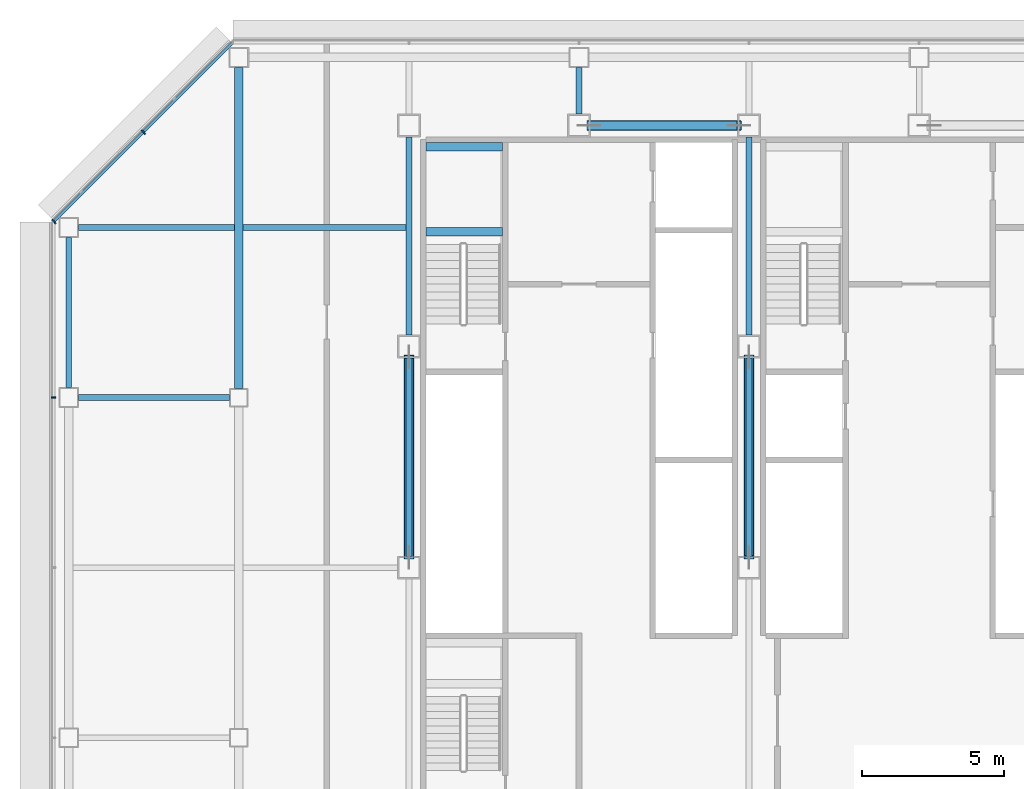
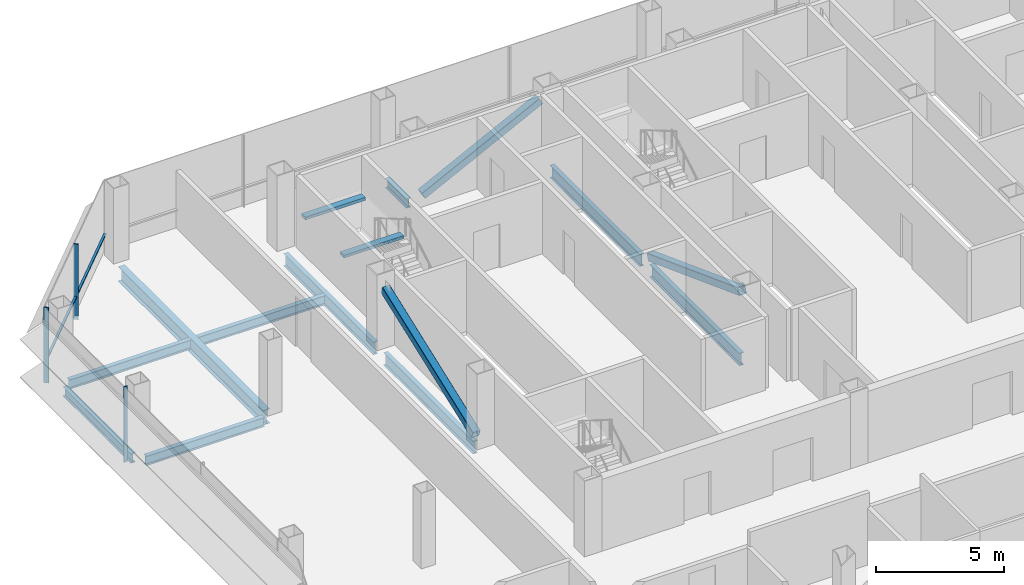
# One storey, part 12 of 27: 12 beams, 7 members, 2 elements without a shape of their own.
"""IFC4 building model written with IfcOpenShell, lengths in metres."""

from ifc_helpers import new_model, si_unit, direction, frame, origin, origin_2d, place, context, subcontext, project, spatial, rectangle, hollow_rectangle, i_section, extrude, material, material_profile, profile_set, type_object, element, aggregate, save


model = new_model("IFC4")

# Units and contexts
model_context = context("Model", 3, precision=1e-05, world=origin(), true_north=direction((0.0, 1.0)))
body_context = subcontext(model_context, "Body", "Model", "MODEL_VIEW")
ifc_project = project(units=[si_unit("LENGTHUNIT", "METRE"), si_unit("AREAUNIT", "SQUARE_METRE"), si_unit("VOLUMEUNIT", "CUBIC_METRE"), si_unit("PLANEANGLEUNIT", "RADIAN"), si_unit("MASSUNIT", "GRAM", prefix="KILO")], contexts=[model_context])

# Site, building, storey
site_placement = place(None, origin())
site = spatial("IfcSite", under=ifc_project, at=site_placement, CompositionType="ELEMENT")
building_placement = place(site_placement, origin())
building = spatial("IfcBuilding", under=site, at=building_placement, Name="Sorahane Residences", CompositionType="ELEMENT")
storey_placement = place(building_placement, frame((0.0, 0.0, 167.199951171875)))
storey = spatial("IfcBuildingStorey", under=building, at=storey_placement, Name="L38", CompositionType="ELEMENT", Elevation=167.199951171875)

# Members
ifc_material_1 = material(Name="Steel Q355B", Category="steel")
ifc_material_profile_1 = material_profile(ifc_material_1, hollow_rectangle(XDim=0.35009765625, YDim=0.35009765625, WallThickness=0.01806640625, InnerFilletRadius=0.009033203125, OuterFilletRadius=0.027099609375, at=origin_2d()), Name="RHS 350x350x18")
ifc_profile_set_1 = profile_set([ifc_material_profile_1], Name="Steel Q355B")
member_type_1 = type_object("IfcMemberType", Name="Core brace RHS 350x350x18 Q355B", PredefinedType="BRACE", material=ifc_profile_set_1)
member_1_placement = place(storey_placement, frame((12.352783203125, 45.60009765625, 0.151123046875), z_axis=(0.893039246852, 0.0, 0.449978781258), x_axis=(0.0, 1.0, 0.0)))
element("IfcMember", 1, at=member_1_placement, inside=storey, type_object=member_type_1, Name="Core brace L38 y45.6-2", PredefinedType="BRACE", context=body_context, shape_type="SweptSolid", body=[
    extrude(hollow_rectangle(XDim=0.35009765625, YDim=0.35009765625, WallThickness=0.01806640625, InnerFilletRadius=0.009033203125, OuterFilletRadius=0.027099609375, at=origin_2d()), origin(), (0.0, 0.0, 1.0), 5.928466796875),
])
for number, where, z_axis, x_axis, name in (
    (2, (6.0, 30.36328125, 0.161376953125), (0.0, 0.936550837269, 0.350531780601), (-1.0, 0.0, 0.0), "Core brace L38 x6-2"),
    (3, (18.0, 37.436767578125, 0.161376953125), (0.0, -0.936550837269, 0.350531780601), (1.0, 0.0, 0.0), "Core brace L38 x18-1"),
):
    element("IfcMember", number, at=place(storey_placement, frame(where, z_axis=z_axis, x_axis=x_axis)), inside=storey, type_object=member_type_1, Name=name, PredefinedType="BRACE", context=body_context, shape_type="SweptSolid", body=[
        extrude(hollow_rectangle(XDim=0.35009765625, YDim=0.35009765625, WallThickness=0.01806640625, InnerFilletRadius=0.009033203125, OuterFilletRadius=0.027099609375, at=origin_2d()), origin(), (0.0, 0.0, 1.0), 7.552734375),
    ])

# Curtain wall, member
ifc_material_2 = material(Name="Dark low-e glass and black anodised aluminium", Category="aluminium")
curtain_wall_type_1 = type_object("IfcCurtainWallType", Name="Curtain wall CW-1 Typical unitised wall", PredefinedType="NOTDEFINED", material=ifc_material_2)
curtain_wall_1_placement = place(storey_placement, origin())
curtain_wall_1 = element("IfcCurtainWall", 4, at=curtain_wall_1_placement, inside=storey, type_object=curtain_wall_type_1, Name="CW-1 curtain wall L38 W1", PredefinedType="NOTDEFINED")
ifc_material_3 = material(Name="Black anodised aluminium", Category="aluminium")
ifc_material_profile_2 = material_profile(ifc_material_3, rectangle(XDim=0.159912109375, YDim=0.050048828125, at=origin_2d()), Name="Curtain wall mullion CW-1 black anodised aluminium 50x160")
ifc_profile_set_2 = profile_set([ifc_material_profile_2], Name="Black anodised aluminium")
member_type_2 = type_object("IfcMemberType", Name="Curtain wall mullion CW-1 black anodised aluminium 50x160", PredefinedType="MULLION", material=ifc_profile_set_2)
member_2_placement = place(storey_placement, frame((-6.5400390625, 36.0, -0.179931640625), z_axis=(0.0, 0.0, 1.0), x_axis=(-1.0, 0.0, 0.0)))
member_2 = element("IfcMember", 5, at=member_2_placement, type_object=member_type_2, Name="CW-1 mullion L38 W1.2", PredefinedType="MULLION", context=body_context, shape_type="SweptSolid", body=[
    extrude(rectangle(XDim=0.159912109375, YDim=0.050048828125, at=origin_2d()), origin(), (0.0, 0.0, 1.0), 3.60009765625),
])
aggregate(curtain_wall_1, [member_2])

# Curtain wall, members
ifc_material_4 = material(Name="Dark low-e glass and black anodised aluminium", Category="aluminium")
curtain_wall_type_2 = type_object("IfcCurtainWallType", Name="Curtain wall CW-2 Chamfer unitised wall", PredefinedType="NOTDEFINED", material=ifc_material_4)
curtain_wall_2_placement = place(storey_placement, origin())
curtain_wall_2 = element("IfcCurtainWall", 6, at=curtain_wall_2_placement, inside=storey, type_object=curtain_wall_type_2, Name="CW-2 curtain wall L38 NW1", PredefinedType="NOTDEFINED")
ifc_material_5 = material(Name="Black anodised aluminium", Category="aluminium")
ifc_material_profile_3 = material_profile(ifc_material_5, rectangle(XDim=0.199951171875, YDim=0.050048828125, at=origin_2d()), Name="Curtain wall mullion CW-2 black anodised aluminium 50x200")
ifc_profile_set_3 = profile_set([ifc_material_profile_3], Name="Black anodised aluminium")
member_type_3 = type_object("IfcMemberType", Name="Curtain wall mullion CW-2 black anodised aluminium 50x200", PredefinedType="MULLION", material=ifc_profile_set_3)
member_3_placement = place(storey_placement, frame((-3.36767578125, 45.36767578125, -0.179931640625), z_axis=(0.0, 0.0, 1.0), x_axis=(-0.707106781187, 0.707106781187, 0.0)))
member_3 = element("IfcMember", 7, at=member_3_placement, type_object=member_type_3, Name="CW-2 mullion L38 NW1.2", PredefinedType="MULLION", context=body_context, shape_type="SweptSolid", body=[
    extrude(rectangle(XDim=0.199951171875, YDim=0.050048828125, at=origin_2d()), origin(), (0.0, 0.0, 1.0), 3.60009765625),
])
member_4_placement = place(storey_placement, frame((-6.525634765625, 42.209716796875, -0.179931640625), z_axis=(0.0, 0.0, 1.0), x_axis=(-0.707106781187, 0.707106781187, 0.0)))
member_4 = element("IfcMember", 8, at=member_4_placement, type_object=member_type_3, Name="CW-2 mullion L38 NW1.3", PredefinedType="MULLION", context=body_context, shape_type="SweptSolid", body=[
    extrude(rectangle(XDim=0.199951171875, YDim=0.050048828125, at=origin_2d()), origin(), (0.0, 0.0, 1.0), 3.60009765625),
])
ifc_material_6 = material(Name="Black anodised aluminium", Category="aluminium")
ifc_material_profile_4 = material_profile(ifc_material_6, rectangle(XDim=0.10009765625, YDim=0.06005859375, at=origin_2d()), Name="Curtain wall transom CW-2 black anodised aluminium 60x100")
ifc_profile_set_4 = profile_set([ifc_material_profile_4], Name="Black anodised aluminium")
member_type_4 = type_object("IfcMemberType", Name="Curtain wall transom CW-2 black anodised aluminium 60x100", PredefinedType="USERDEFINED", material=ifc_profile_set_4)
member_5_placement = place(storey_placement, frame((-0.234375, 48.51513671875, 0.900146484375), z_axis=(-0.707106781187, -0.707106781187, 0.0), x_axis=(0.707106781187, -0.707106781187, 0.0)))
member_5 = element("IfcMember", 9, at=member_5_placement, type_object=member_type_4, Name="CW-2 transom L38 NW1", ObjectType="TRANSOM", PredefinedType="USERDEFINED", context=body_context, shape_type="SweptSolid", body=[
    extrude(rectangle(XDim=0.10009765625, YDim=0.06005859375, at=origin_2d()), origin(), (0.0, 0.0, 1.0), 8.88232421875),
])
aggregate(curtain_wall_2, [member_3, member_4, member_5])

# Beams
ifc_material_7 = material(Name="Concrete C40", Category="concrete")
ifc_material_profile_5 = material_profile(ifc_material_7, rectangle(XDim=0.300048828125, YDim=0.139892578125, at=origin_2d()), Name="300x140")
ifc_profile_set_5 = profile_set([ifc_material_profile_5], Name="Concrete C40")
beam_type_1 = type_object("IfcBeamType", Name="RC landing beam 300 x 140 Concrete C40", PredefinedType="BEAM", material=ifc_profile_set_5)
for number, where, z_axis, x_axis, name in (
    (10, (6.60009765625, 41.85009765625, 1.530029296875), (1.0, 0.0, 0.0), (0.0, 1.0, 0.0), "Landing beam"),
    (11, (6.60009765625, 44.85009765625, 1.530029296875), (1.0, 0.0, 0.0), (0.0, 1.0, 0.0), "Landing beam"),
):
    element("IfcBeam", number, at=place(storey_placement, frame(where, z_axis=z_axis, x_axis=x_axis)), inside=storey, type_object=beam_type_1, Name=name, PredefinedType="BEAM", context=body_context, shape_type="SweptSolid", body=[
        extrude(rectangle(XDim=0.300048828125, YDim=0.139892578125, at=origin_2d()), origin(), (0.0, 0.0, 1.0), 2.699951171875),
    ])
ifc_material_8 = material(Name="Steel Q355B", Category="steel")
ifc_material_profile_6 = material_profile(ifc_material_8, i_section(OverallWidth=0.199951171875, OverallDepth=0.449951171875, WebThickness=0.009033203125, FlangeThickness=0.013916015625, FilletRadius=0.02001953125, at=origin_2d()), Name="HN 450x200x9x14")
ifc_profile_set_6 = profile_set([ifc_material_profile_6], Name="Steel Q355B")
beam_type_2 = type_object("IfcBeamType", Name="Steel floor beam HN 450x200x9x14 Q355B", PredefinedType="BEAM", material=ifc_profile_set_6)
beam_1_placement = place(storey_placement, frame((-5.64990234375, 36.0, -0.405029296875), z_axis=(1.0, 0.0, 0.0), x_axis=(0.0, 1.0, 0.0)))
element("IfcBeam", 12, at=beam_1_placement, inside=storey, type_object=beam_type_2, Name="Beam L38 013", PredefinedType="BEAM", context=body_context, shape_type="SweptSolid", body=[
    extrude(i_section(OverallWidth=0.199951171875, OverallDepth=0.449951171875, WebThickness=0.009033203125, FlangeThickness=0.013916015625, FilletRadius=0.02001953125, at=origin_2d()), origin(), (0.0, 0.0, 1.0), 5.324951171875),
])
beam_2_placement = place(storey_placement, frame((-6.0, 36.35009765625, -0.405029296875), z_axis=(0.0, 1.0, 0.0), x_axis=(-1.0, 0.0, 0.0)))
element("IfcBeam", 13, at=beam_2_placement, inside=storey, type_object=beam_type_2, Name="Beam L38 023", PredefinedType="BEAM", context=body_context, shape_type="SweptSolid", body=[
    extrude(i_section(OverallWidth=0.199951171875, OverallDepth=0.449951171875, WebThickness=0.009033203125, FlangeThickness=0.013916015625, FilletRadius=0.02001953125, at=origin_2d()), origin(), (0.0, 0.0, 1.0), 5.2998046875),
])
beam_3_placement = place(storey_placement, frame((12.0, 46.0, -0.405029296875), z_axis=(0.0, 1.0, 0.0), x_axis=(-1.0, 0.0, 0.0)))
element("IfcBeam", 14, at=beam_3_placement, inside=storey, type_object=beam_type_2, Name="Beam L38 035", PredefinedType="BEAM", context=body_context, shape_type="SweptSolid", body=[
    extrude(i_section(OverallWidth=0.199951171875, OverallDepth=0.449951171875, WebThickness=0.009033203125, FlangeThickness=0.013916015625, FilletRadius=0.02001953125, at=origin_2d()), origin(), (0.0, 0.0, 1.0), 1.64990234375),
])
beam_4_placement = place(storey_placement, frame((-5.64990234375, 42.0, -0.405029296875), z_axis=(1.0, 0.0, 0.0), x_axis=(0.0, 1.0, 0.0)))
element("IfcBeam", 15, at=beam_4_placement, inside=storey, type_object=beam_type_2, Name="Beam L38 085", PredefinedType="BEAM", context=body_context, shape_type="SweptSolid", body=[
    extrude(i_section(OverallWidth=0.199951171875, OverallDepth=0.449951171875, WebThickness=0.009033203125, FlangeThickness=0.013916015625, FilletRadius=0.02001953125, at=origin_2d()), origin(), (0.0, 0.0, 1.0), 5.5),
])
beam_5_placement = place(storey_placement, frame((0.14990234375, 42.0, -0.405029296875), z_axis=(1.0, 0.0, 0.0), x_axis=(0.0, 1.0, 0.0)))
element("IfcBeam", 16, at=beam_5_placement, inside=storey, type_object=beam_type_2, Name="Beam L38 086", PredefinedType="BEAM", context=body_context, shape_type="SweptSolid", body=[
    extrude(i_section(OverallWidth=0.199951171875, OverallDepth=0.449951171875, WebThickness=0.009033203125, FlangeThickness=0.013916015625, FilletRadius=0.02001953125, at=origin_2d()), origin(), (0.0, 0.0, 1.0), 5.75),
])
ifc_material_9 = material(Name="Steel Q355B", Category="steel")
ifc_material_profile_7 = material_profile(ifc_material_9, i_section(OverallWidth=0.199951171875, OverallDepth=0.60009765625, WebThickness=0.010986328125, FlangeThickness=0.01708984375, FilletRadius=0.02392578125, at=origin_2d()), Name="HN 600x200x11x17")
ifc_profile_set_7 = profile_set([ifc_material_profile_7], Name="Steel Q355B")
beam_type_3 = type_object("IfcBeamType", Name="Steel floor beam HN 600x200x11x17 Q355B", PredefinedType="BEAM", material=ifc_profile_set_7)
for number, where, z_axis, x_axis, name in (
    (17, (6.0, 30.39990234375, -0.47998046875), (0.0, 1.0, 0.0), (-1.0, 0.0, 0.0), "Beam L38 031"),
    (18, (6.0, 38.199951171875, -0.47998046875), (0.0, 1.0, 0.0), (-1.0, 0.0, 0.0), "Beam L38 032"),
    (19, (18.0, 30.39990234375, -0.47998046875), (0.0, 1.0, 0.0), (-1.0, 0.0, 0.0), "Beam L38 039"),
    (20, (18.0, 38.199951171875, -0.47998046875), (0.0, 1.0, 0.0), (-1.0, 0.0, 0.0), "Beam L38 040"),
):
    element("IfcBeam", number, at=place(storey_placement, frame(where, z_axis=z_axis, x_axis=x_axis)), inside=storey, type_object=beam_type_3, Name=name, PredefinedType="BEAM", context=body_context, shape_type="SweptSolid", body=[
        extrude(i_section(OverallWidth=0.199951171875, OverallDepth=0.60009765625, WebThickness=0.010986328125, FlangeThickness=0.01708984375, FilletRadius=0.02392578125, at=origin_2d()), origin(), (0.0, 0.0, 1.0), 7.0),
    ])
ifc_material_10 = material(Name="Steel Q355B", Category="steel")
ifc_material_profile_8 = material_profile(ifc_material_10, i_section(OverallWidth=0.300048828125, OverallDepth=0.699951171875, WebThickness=0.012939453125, FlangeThickness=0.02392578125, FilletRadius=0.028076171875, at=origin_2d()), Name="HN 700x300x13x24")
ifc_profile_set_8 = profile_set([ifc_material_profile_8], Name="Steel Q355B")
beam_type_4 = type_object("IfcBeamType", Name="Steel floor beam HN 700x300x13x24 Q355B", PredefinedType="BEAM", material=ifc_profile_set_8)
beam_6_placement = place(storey_placement, frame((0.0, 36.324951171875, -0.530029296875), z_axis=(0.0, 1.0, 0.0), x_axis=(-1.0, 0.0, 0.0)))
element("IfcBeam", 21, at=beam_6_placement, inside=storey, type_object=beam_type_4, Name="Beam L38 027", PredefinedType="BEAM", context=body_context, shape_type="SweptSolid", body=[
    extrude(i_section(OverallWidth=0.300048828125, OverallDepth=0.699951171875, WebThickness=0.012939453125, FlangeThickness=0.02392578125, FilletRadius=0.028076171875, at=origin_2d()), origin(), (0.0, 0.0, 1.0), 11.324951171875),
])

save(model, "model.ifc")
